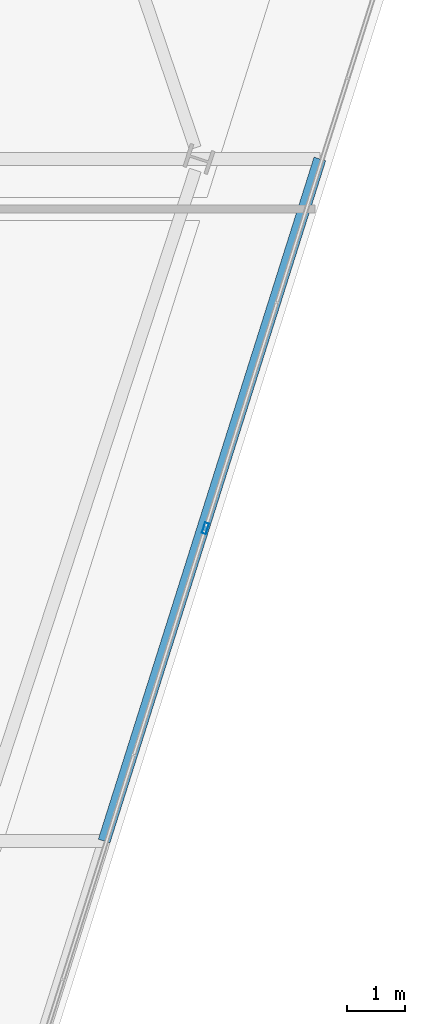
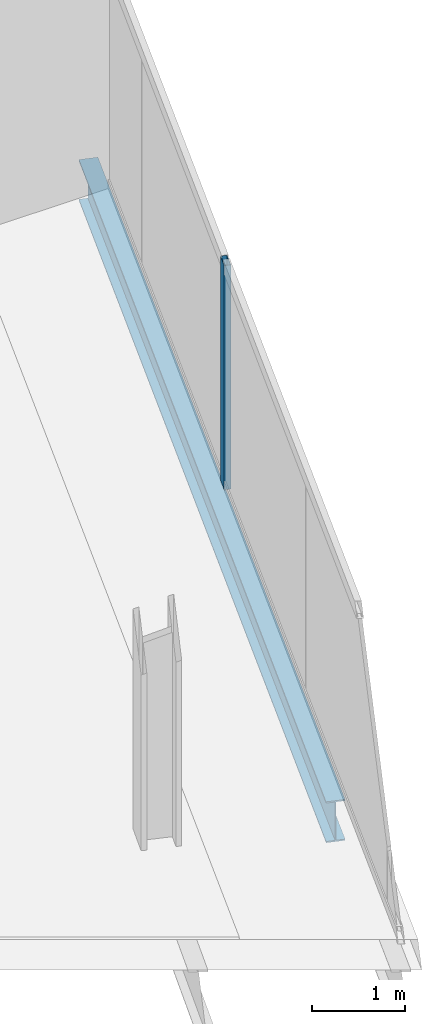
# One storey, part 10 of 26: 1 beam, 1 member, 1 element without a shape of its own.
"""IFC4 building model written with IfcOpenShell, lengths in metres."""

from ifc_helpers import new_model, si_unit, direction, frame, origin, origin_2d, place, context, subcontext, project, spatial, hollow_rectangle, i_section, extrude, material, material_profile, profile_set, type_object, element, aggregate, save


model = new_model("IFC4")

# Units and contexts
model_context = context("Model", 3, precision=1e-05, world=origin(), true_north=direction((0.0, 1.0)))
body_context = subcontext(model_context, "Body", "Model", "MODEL_VIEW")
ifc_project = project(units=[si_unit("LENGTHUNIT", "METRE"), si_unit("AREAUNIT", "SQUARE_METRE"), si_unit("VOLUMEUNIT", "CUBIC_METRE"), si_unit("PLANEANGLEUNIT", "RADIAN"), si_unit("MASSUNIT", "GRAM", prefix="KILO")], contexts=[model_context])

# Site, building, storey
site_placement = place(None, origin())
site = spatial("IfcSite", under=ifc_project, at=site_placement, CompositionType="ELEMENT")
building_placement = place(site_placement, origin())
building = spatial("IfcBuilding", under=site, at=building_placement, Name="Haldenkirk Collegiate Tower", CompositionType="ELEMENT")
storey_placement = place(building_placement, frame((0.0, 0.0, 271.199951171875)))
storey = spatial("IfcBuildingStorey", under=building, at=storey_placement, Name="L68", CompositionType="ELEMENT", Elevation=271.199951171875)

# Beam
ifc_material_1 = material(Name="Steel ASTM A992 Grade 50", Category="steel")
ifc_material_profile_1 = material_profile(ifc_material_1, i_section(OverallWidth=0.2099609375, OverallDepth=0.537109375, WebThickness=0.010986328125, FlangeThickness=0.017333984375, at=origin_2d()), Name="W21X68")
ifc_profile_set_1 = profile_set([ifc_material_profile_1], Name="Steel ASTM A992 Grade 50")
beam_type = type_object("IfcBeamType", Name="BM-SPANDREL-W21X68", PredefinedType="SPANDREL", material=ifc_profile_set_1)
beam_placement = place(storey_placement, frame((57.692138671875, 19.624267578125, -0.538330078125), z_axis=(0.301546168387, 0.953451576291, 0.0), x_axis=(-0.953451576291, 0.301546168387, 0.0)))
element("IfcBeam", 1, at=beam_placement, inside=storey, type_object=beam_type, Name="L68 outer facade edge beam 1B", PredefinedType="SPANDREL", context=body_context, shape_type="SweptSolid", body=[
    extrude(i_section(OverallWidth=0.2099609375, OverallDepth=0.537109375, WebThickness=0.010986328125, FlangeThickness=0.017333984375, at=origin_2d()), origin(), (0.0, 0.0, 1.0), 12.308837890625),
])

# Curtain wall, member
ifc_material_2 = material(Name="Anodised architectural bronze aluminium", Category="aluminium")
curtain_wall_type = type_object("IfcCurtainWallType", Name="CW-SYS2-CONCAVE", PredefinedType="USERDEFINED", material=ifc_material_2)
curtain_wall_placement = place(storey_placement, origin())
curtain_wall = element("IfcCurtainWall", 2, at=curtain_wall_placement, inside=storey, type_object=curtain_wall_type, Name="L68 South concave recessed bronze-anodised curtain wall", ObjectType="UNITISED CURTAIN WALL", PredefinedType="USERDEFINED")
ifc_material_profile_2 = material_profile(ifc_material_2, hollow_rectangle(XDim=0.074951171875, YDim=0.18994140625, WallThickness=0.0048828125, at=origin_2d()), Name="CW-MUL-02")
ifc_profile_set_2 = profile_set([ifc_material_profile_2], Name="Anodised architectural bronze aluminium")
member_type = type_object("IfcMemberType", Name="CW-MUL-02", PredefinedType="MULLION", material=ifc_profile_set_2)
member_placement = place(storey_placement, frame((59.435302734375, 25.003662109375, 0.0), z_axis=(0.0, 0.0, 1.0), x_axis=(0.953454589166, -0.301536641884, 0.0)))
member = element("IfcMember", 3, at=member_placement, type_object=member_type, Name="CW-02 mullion 2", PredefinedType="MULLION", context=body_context, shape_type="SweptSolid", body=[
    extrude(hollow_rectangle(XDim=0.074951171875, YDim=0.18994140625, WallThickness=0.0048828125, at=origin_2d()), origin(), (0.0, 0.0, 1.0), 2.93798828125),
])
aggregate(curtain_wall, [member])

save(model, "model.ifc")
